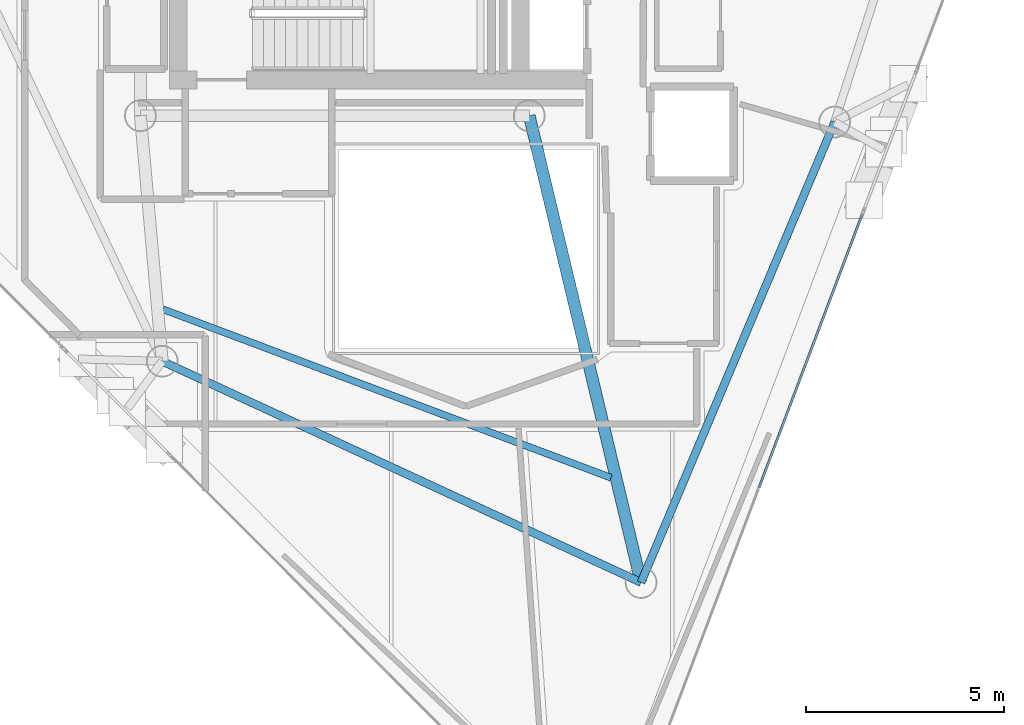
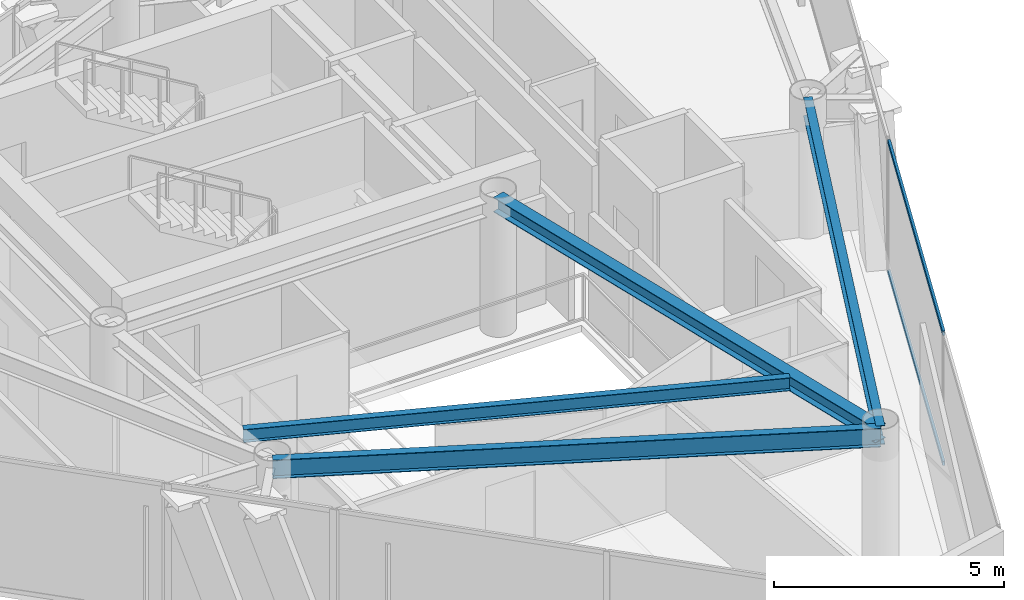
# One storey, part 5 of 19: 4 beams, 2 members, 1 element without a shape of its own.
"""IFC4 building model written with IfcOpenShell, lengths in metres."""

from ifc_helpers import new_model, si_unit, direction, frame, origin, origin_2d, place, context, subcontext, project, spatial, hollow_rectangle, i_section, extrude, material, layer, layer_set, material_profile, profile_set, type_object, element, aggregate, save


model = new_model("IFC4")

# Units and contexts
model_context = context("Model", 3, precision=1e-05, world=origin(), true_north=direction((0.0, 1.0)))
body_context = subcontext(model_context, "Body", "Model", "MODEL_VIEW")
ifc_project = project(units=[si_unit("LENGTHUNIT", "METRE"), si_unit("AREAUNIT", "SQUARE_METRE"), si_unit("VOLUMEUNIT", "CUBIC_METRE"), si_unit("PLANEANGLEUNIT", "RADIAN"), si_unit("MASSUNIT", "GRAM", prefix="KILO")], contexts=[model_context])

# Site, building, storey
site_placement = place(None, origin())
site = spatial("IfcSite", under=ifc_project, at=site_placement, CompositionType="ELEMENT")
building_placement = place(site_placement, origin())
building = spatial("IfcBuilding", under=site, at=building_placement, Name="Qianvela Tower", CompositionType="ELEMENT")
storey_placement = place(building_placement, frame((0.0, 0.0, 340.699951171875)))
storey = spatial("IfcBuildingStorey", under=building, at=storey_placement, Name="L88", CompositionType="ELEMENT", Elevation=340.699951171875)

# Beams
ifc_material_1 = material(Name="Steel Q355B", Category="steel")
ifc_material_profile_1 = material_profile(ifc_material_1, i_section(OverallWidth=0.300048828125, OverallDepth=0.389892578125, WebThickness=0.010009765625, FlangeThickness=0.01611328125, at=origin_2d()), Name="HM390x300x10x16")
ifc_profile_set_1 = profile_set([ifc_material_profile_1], Name="Steel Q355B")
beam_type_1 = type_object("IfcBeamType", Name="BM-HM390-COLL", PredefinedType="BEAM", material=ifc_profile_set_1)
beam_1_placement = place(storey_placement, frame((38.39990234375, 23.85009765625, 3.322998046875), z_axis=(0.232920204523, -0.97249585003, 0.0), x_axis=(0.97249585003, 0.232920204523, 0.0)))
element("IfcBeam", 1, at=beam_1_placement, inside=storey, type_object=beam_type_1, Name="L88 Radial Primary Floor Girder 5", PredefinedType="BEAM", context=body_context, shape_type="SweptSolid", body=[
    extrude(i_section(OverallWidth=0.300048828125, OverallDepth=0.389892578125, WebThickness=0.010009765625, FlangeThickness=0.01611328125, at=origin_2d()), origin(), (0.0, 0.0, 1.0), 12.094970703125),
])
ifc_material_2 = material(Name="Steel Q355B", Category="steel")
ifc_material_profile_2 = material_profile(ifc_material_2, i_section(OverallWidth=0.175048828125, OverallDepth=0.35009765625, WebThickness=0.007080078125, FlangeThickness=0.010986328125, at=origin_2d()), Name="HN350x175x7x11")
ifc_profile_set_2 = profile_set([ifc_material_profile_2], Name="Steel Q355B")
beam_type_2 = type_object("IfcBeamType", Name="BM-HN350-JOIST", PredefinedType="JOIST", material=ifc_profile_set_2)
beam_2_placement = place(storey_placement, frame((29.165771484375, 18.971923828125, 3.343017578125), z_axis=(0.936076156518, -0.351797426366, 0.0), x_axis=(0.351797426366, 0.936076156518, 0.0)))
element("IfcBeam", 2, at=beam_2_placement, inside=storey, type_object=beam_type_2, Name="L88 Secondary Composite Floor Joist 4.3", PredefinedType="JOIST", context=body_context, shape_type="SweptSolid", body=[
    extrude(i_section(OverallWidth=0.175048828125, OverallDepth=0.35009765625, WebThickness=0.007080078125, FlangeThickness=0.010986328125, at=origin_2d()), origin(), (0.0, 0.0, 1.0), 12.066162109375),
])
ifc_material_3 = material(Name="Steel Q355B", Category="steel")
ifc_material_profile_3 = material_profile(ifc_material_3, i_section(OverallWidth=0.199951171875, OverallDepth=0.5, WebThickness=0.010009765625, FlangeThickness=0.01611328125, at=origin_2d()), Name="HN500x200x10x16")
ifc_profile_set_3 = profile_set([ifc_material_profile_3], Name="Steel Q355B")
beam_type_3 = type_object("IfcBeamType", Name="BM-HN500-GIRD", PredefinedType="BEAM", material=ifc_profile_set_3)
beam_3_placement = place(storey_placement, frame((29.14990234375, 17.662109375, 3.26806640625), z_axis=(0.907822793776, -0.419353997359, 0.0), x_axis=(0.419353997359, 0.907822793776, 0.0)))
element("IfcBeam", 3, at=beam_3_placement, inside=storey, type_object=beam_type_3, Name="L88 Perimeter Ring Spandrel Girder 4", PredefinedType="BEAM", context=body_context, shape_type="SweptSolid", body=[
    extrude(i_section(OverallWidth=0.199951171875, OverallDepth=0.5, WebThickness=0.010009765625, FlangeThickness=0.01611328125, at=origin_2d()), origin(), (0.0, 0.0, 1.0), 13.29248046875),
])
beam_4_placement = place(storey_placement, frame((41.217041015625, 12.087890625, 3.26806640625), z_axis=(0.387547057173, 0.921849921883, 0.0), x_axis=(-0.921849921883, 0.387547057173, 0.0)))
element("IfcBeam", 4, at=beam_4_placement, inside=storey, type_object=beam_type_3, Name="L88 Perimeter Ring Spandrel Girder 5", PredefinedType="BEAM", context=body_context, shape_type="SweptSolid", body=[
    extrude(i_section(OverallWidth=0.199951171875, OverallDepth=0.5, WebThickness=0.010009765625, FlangeThickness=0.01611328125, at=origin_2d()), origin(), (0.0, 0.0, 1.0), 12.586669921875),
])

# Curtain wall, members
ifc_material_4 = material(Name="Anodised Architectural Aluminium and Low-E Glass", Category="aluminium")
ifc_layer = layer(ifc_material_4, 0.14990234375)
ifc_layer_set = layer_set([ifc_layer], Name="Anodised Architectural Aluminium and Low-E Glass")
curtain_wall_type = type_object("IfcCurtainWallType", Name="CW-COLIV-Z78", PredefinedType="USERDEFINED", material=ifc_layer_set)
curtain_wall_placement = place(storey_placement, origin())
curtain_wall = element("IfcCurtainWall", 5, at=curtain_wall_placement, inside=storey, type_object=curtain_wall_type, Name="L88 CW-COLIV-Z78 Curtain Wall 06A", ObjectType="CURTAIN_WALL_SYSTEM", PredefinedType="USERDEFINED")
ifc_material_5 = material(Name="Anodised Architectural Aluminium 6063-T6", Category="aluminium")
ifc_material_profile_4 = material_profile(ifc_material_5, hollow_rectangle(XDim=0.06005859375, YDim=0.114990234375, WallThickness=0.00390625, at=origin_2d()), Name="ALU-TRAN-60x115")
ifc_profile_set_4 = profile_set([ifc_material_profile_4], Name="Anodised Architectural Aluminium 6063-T6")
member_type = type_object("IfcMemberType", Name="CW-COLIV-Z78-TRAN", PredefinedType="USERDEFINED", material=ifc_profile_set_4)
member_1_placement = place(storey_placement, frame((44.189453125, 14.473388671875, 0.030029296875), z_axis=(0.353260772177, 0.935524893758, 0.0), x_axis=(-0.935524893758, 0.353260772177, 0.0)))
member_1 = element("IfcMember", 6, at=member_1_placement, type_object=member_type, Name="CW-6 transom 2.1", ObjectType="TRANSOM", PredefinedType="USERDEFINED", context=body_context, shape_type="SweptSolid", body=[
    extrude(hollow_rectangle(XDim=0.06005859375, YDim=0.114990234375, WallThickness=0.00390625, at=origin_2d()), origin(), (0.0, 0.0, 1.0), 7.369873046875),
])
member_2_placement = place(storey_placement, frame((44.189453125, 14.473388671875, 3.489990234375), z_axis=(0.353260772177, 0.935524893758, 0.0), x_axis=(-0.935524893758, 0.353260772177, 0.0)))
member_2 = element("IfcMember", 7, at=member_2_placement, type_object=member_type, Name="CW-6 transom 2.2", ObjectType="TRANSOM", PredefinedType="USERDEFINED", context=body_context, shape_type="SweptSolid", body=[
    extrude(hollow_rectangle(XDim=0.06005859375, YDim=0.114990234375, WallThickness=0.00390625, at=origin_2d()), origin(), (0.0, 0.0, 1.0), 7.369873046875),
])
aggregate(curtain_wall, [member_1, member_2])

save(model, "model.ifc")
